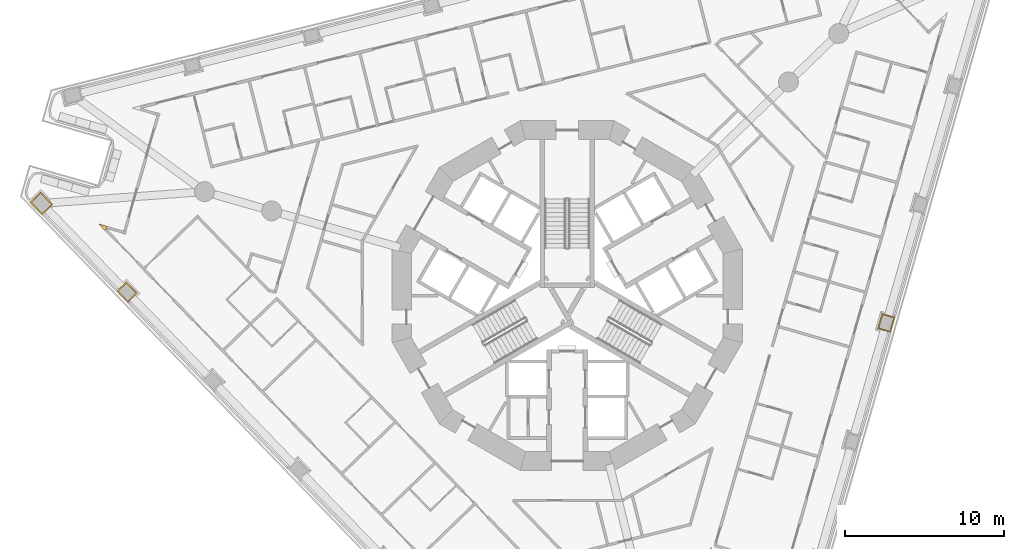
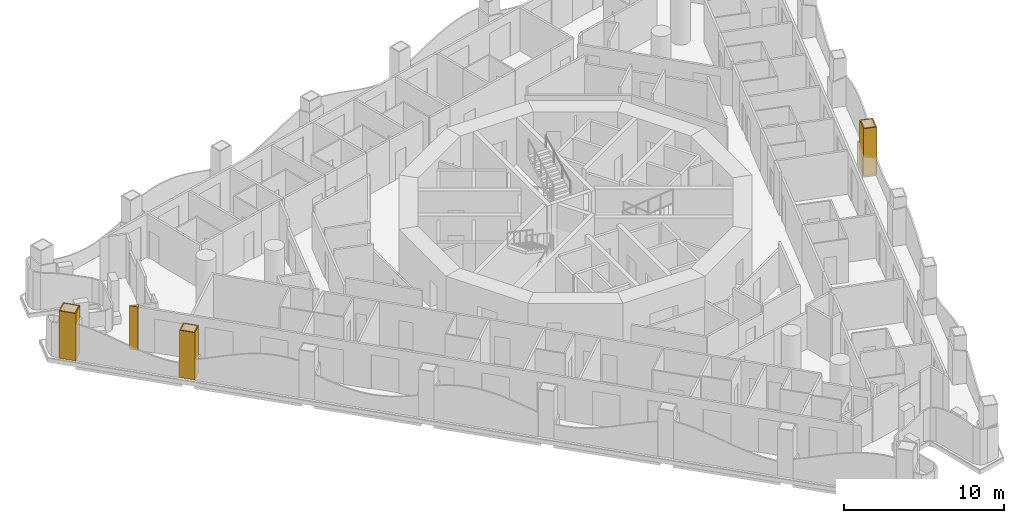
# One storey, part 16 of 20: 4 coverings.
"""IFC4 building model written with IfcOpenShell, lengths in metres."""

from ifc_helpers import new_model, si_unit, direction, frame, origin, place, context, subcontext, project, spatial, polyline, outline, extrude, material, layer, layer_set, type_object, element, save


model = new_model("IFC4")

# Units and contexts
model_context = context("Model", 3, precision=1e-05, world=origin(), true_north=direction((0.0, 1.0)))
body_context = subcontext(model_context, "Body", "Model", "MODEL_VIEW")
ifc_project = project(units=[si_unit("LENGTHUNIT", "METRE"), si_unit("AREAUNIT", "SQUARE_METRE"), si_unit("VOLUMEUNIT", "CUBIC_METRE"), si_unit("PLANEANGLEUNIT", "RADIAN"), si_unit("MASSUNIT", "GRAM", prefix="KILO")], contexts=[model_context])

# Site, building, storey
site_placement = place(None, origin())
site = spatial("IfcSite", under=ifc_project, at=site_placement, CompositionType="ELEMENT")
building_placement = place(site_placement, origin())
building = spatial("IfcBuilding", under=site, at=building_placement, Name="Trine Commons Tower", CompositionType="ELEMENT")
storey_placement = place(building_placement, frame((0.0, 0.0, 108.89990234375)))
storey = spatial("IfcBuildingStorey", under=building, at=storey_placement, Name="L27", CompositionType="ELEMENT", Elevation=108.89990234375)

# Coverings
ifc_material_1 = material(Name="Aluminium-framed insulated wall panel", Category="aluminium")
ifc_layer_1 = layer(ifc_material_1, 0.14990234375)
ifc_layer_set_1 = layer_set([ifc_layer_1], Name="Aluminium-framed insulated wall panel")
covering_type_1 = type_object("IfcCoveringType", Name="Glazing corner post, aluminium", PredefinedType="CLADDING", material=ifc_layer_set_1)
covering_1_placement = place(storey_placement, origin())
element("IfcCovering", 1, at=covering_1_placement, inside=storey, type_object=covering_type_1, Name="Glazing corner post 3-01", PredefinedType="CLADDING", context=body_context, shape_type="SweptSolid", body=[
    extrude(outline(polyline([(50.897216796875, 66.611083984375), (51.005126953125, 66.71533203125), (51.04638671875, 66.859619140625), (50.50830078125, 67.013916015625), (50.897216796875, 66.611083984375)])), origin(), (0.0, 0.0, 1.0), 3.300048828125),
])
ifc_material_2 = material(Name="Limestone, honed", Category="masonry")
ifc_layer_2 = layer(ifc_material_2, 0.074951171875)
ifc_layer_set_2 = layer_set([ifc_layer_2], Name="Limestone, honed")
covering_type_2 = type_object("IfcCoveringType", Name="Limestone column cladding 75", PredefinedType="CLADDING", material=ifc_layer_set_2)
covering_2_placement = place(storey_placement, origin())
element("IfcCovering", 2, at=covering_2_placement, inside=storey, type_object=covering_type_2, Name="Limestone pier cladding 3-07", PredefinedType="CLADDING", context=body_context, shape_type="SweptSolid", body=[
    extrude(outline(polyline([(52.265380859375, 63.373291015625), (51.654052734375, 62.78271484375), (52.3486328125, 62.0634765625), (52.960205078125, 62.65380859375), (52.265380859375, 63.373291015625)]), holes=[polyline([(52.263671875, 63.26708984375), (51.760009765625, 62.781005859375), (52.3505859375, 62.16943359375), (52.85400390625, 62.65576171875), (52.263671875, 63.26708984375)])]), origin(), (0.0, 0.0, 1.0), 3.60009765625),
])
covering_3_placement = place(storey_placement, origin())
element("IfcCovering", 3, at=covering_3_placement, inside=storey, type_object=covering_type_2, Name="Limestone pier cladding 3-08", PredefinedType="CLADDING", context=body_context, shape_type="SweptSolid", body=[
    extrude(outline(polyline([(46.877685546875, 69.0244140625), (46.194580078125, 68.364501953125), (46.95849609375, 67.572998046875), (47.641845703125, 68.23291015625), (46.877685546875, 69.0244140625)]), holes=[polyline([(46.8759765625, 68.918212890625), (46.300537109375, 68.362548828125), (46.96044921875, 67.67919921875), (47.535888671875, 68.23486328125), (46.8759765625, 68.918212890625)])]), origin(), (0.0, 0.0, 1.0), 3.60009765625),
])
covering_4_placement = place(storey_placement, origin())
element("IfcCovering", 4, at=covering_4_placement, inside=storey, type_object=covering_type_2, Name="Limestone pier cladding 3-20", PredefinedType="CLADDING", context=body_context, shape_type="SweptSolid", body=[
    extrude(outline(polyline([(100.61865234375, 61.14306640625), (99.801513671875, 61.377197265625), (99.52587890625, 60.416015625), (100.343017578125, 60.181640625), (100.61865234375, 61.14306640625)]), holes=[polyline([(100.52587890625, 61.091552734375), (99.85302734375, 61.284423828125), (99.61865234375, 60.46728515625), (100.29150390625, 60.2744140625), (100.52587890625, 61.091552734375)])]), origin(), (0.0, 0.0, 1.0), 3.60009765625),
])

save(model, "model.ifc")
